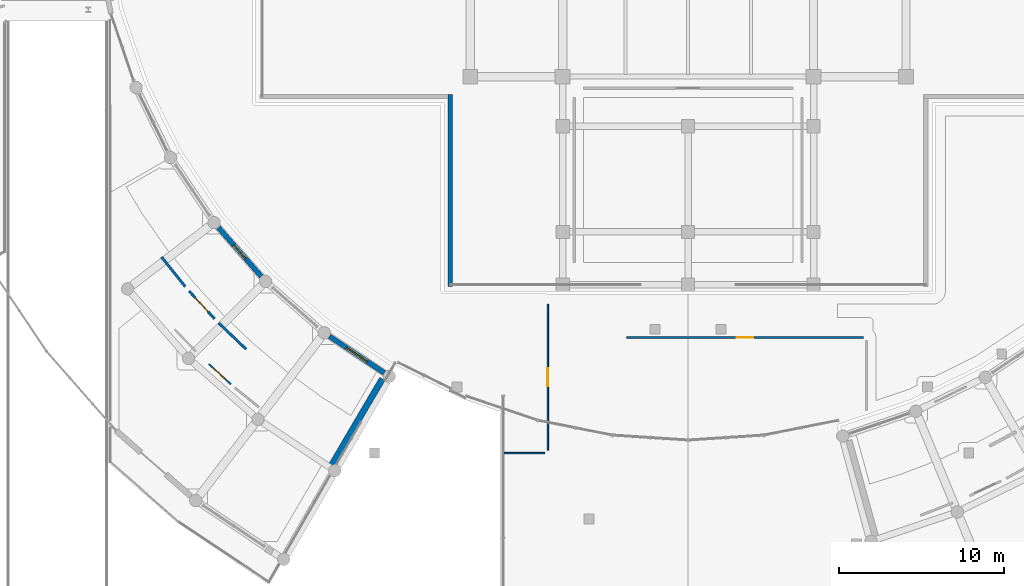
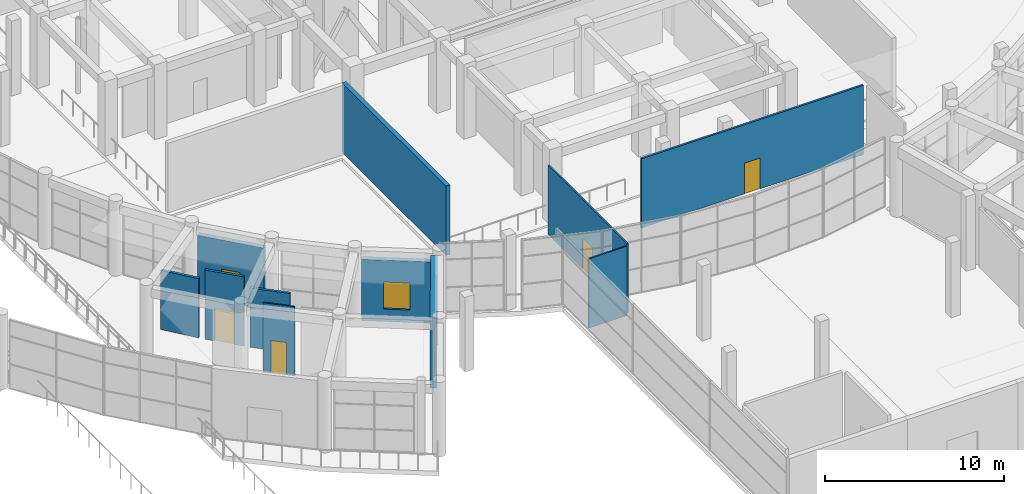
# One storey, part 66 of 99: 11 walls, 4 doors, 2 windows, 6 openings.
"""IFC4 building model written with IfcOpenShell, lengths in metres."""

import ifcopenshell
import ifcopenshell.guid

model = None  # the IFC model being written
_history = None  # IfcOwnerHistory: only IFC2X3 demands one
_inside = {}  # id of a spatial element -> (the spatial element, [elements in it])
_under = {}  # id of a project, library or spatial element -> (it, [spatial elements below it])
_declared = {}  # id of a project -> (the project, [libraries it declares])
_typed = {}  # id of a type object -> (the type object, [elements of that type])
_made_of = {}  # id of a material, layer set ... -> (it, [elements and type objects made of it])


def new_model(schema):
    """Start an empty IFC model of exactly this schema.

    Asked for "IFC4X3", IfcOpenShell would pick the latest addendum, in which some entities
    have other attributes; the version numbers below select the first issue.
    IFC2X3 requires an IfcOwnerHistory on every rooted entity: one is made here for all.
    """
    global model, _history
    if schema == "IFC4X3":
        model = ifcopenshell.file(schema_version=(4, 3, 0, 0))
    else:
        model = ifcopenshell.file(schema=schema)
    _inside.clear()
    _under.clear()
    _declared.clear()
    _typed.clear()
    _made_of.clear()
    _history = None
    if model.schema == "IFC2X3":
        org = make("IfcOrganization", Name="unknown")
        user = make(
            "IfcPersonAndOrganization",
            ThePerson=make("IfcPerson", FamilyName="unknown"),
            TheOrganization=org,
        )
        app = make(
            "IfcApplication",
            ApplicationDeveloper=org,
            Version="unknown",
            ApplicationFullName="unknown",
            ApplicationIdentifier="unknown",
        )
        _history = make(
            "IfcOwnerHistory",
            OwningUser=user,
            OwningApplication=app,
            ChangeAction="ADDED",
            CreationDate=0,
        )
    return model


def make(cls, **values):
    """One entity of the class cls with the attributes given. An attribute that is None is left unset."""
    return model.create_entity(
        cls, **{name: value for name, value in values.items() if value is not None}
    )


def rooted(cls, **values):
    """An entity with a GlobalId (a new one), such as an element, a storey or a relation."""
    return make(cls, GlobalId=ifcopenshell.guid.new(), OwnerHistory=_history, **values)


def si_unit(unit_type, name, prefix=None):
    """IfcSIUnit, for example si_unit("LENGTHUNIT", "METRE", prefix="MILLI")."""
    return make("IfcSIUnit", UnitType=unit_type, Prefix=prefix, Name=name)


def assignment(units):
    """IfcUnitAssignment: the units of a project."""
    return None if units is None else make("IfcUnitAssignment", Units=units)


def point(xyz):
    """IfcCartesianPoint."""
    return None if xyz is None else make("IfcCartesianPoint", Coordinates=xyz)


def direction(xyz):
    """IfcDirection."""
    return None if xyz is None else make("IfcDirection", DirectionRatios=xyz)


def frame(location, z_axis=None, x_axis=None):
    """IfcAxis2Placement3D, a coordinate frame: its origin and axes. An axis left out is left unset."""
    return make(
        "IfcAxis2Placement3D",
        Location=point(location),
        Axis=direction(z_axis),
        RefDirection=direction(x_axis),
    )


def frame_2d(location, x_axis=None):
    """IfcAxis2Placement2D, a coordinate frame in the plane: its origin and x axis."""
    return make(
        "IfcAxis2Placement2D", Location=point(location), RefDirection=direction(x_axis)
    )


def origin():
    """The frame at (0, 0, 0) with its axes left unset."""
    return frame((0.0, 0.0, 0.0))


def place(relative_to, where):
    """IfcLocalPlacement: puts the frame where relative to a parent placement (None: the world)."""
    return make(
        "IfcLocalPlacement", PlacementRelTo=relative_to, RelativePlacement=where
    )


def context(
    kind, dimensions, precision=None, world=None, true_north=None, identifier=None
):
    """IfcGeometricRepresentationContext, for example the 3D "Model" context."""
    return make(
        "IfcGeometricRepresentationContext",
        ContextIdentifier=identifier,
        ContextType=kind,
        CoordinateSpaceDimension=dimensions,
        Precision=precision,
        WorldCoordinateSystem=world,
        TrueNorth=true_north,
    )


def subcontext(parent, identifier, kind, view, scale=None):
    """IfcGeometricRepresentationSubContext, for example "Body" below "Model"."""
    return make(
        "IfcGeometricRepresentationSubContext",
        ContextIdentifier=identifier,
        ContextType=kind,
        ParentContext=parent,
        TargetScale=scale,
        TargetView=view,
    )


def project(units=None, contexts=None):
    """IfcProject with its units and contexts."""
    return rooted(
        "IfcProject",
        Name="project",
        RepresentationContexts=contexts,
        UnitsInContext=assignment(units),
    )


def spatial(cls, under=None, at=None, **own):
    """A site, building, storey or space (cls), placed at a placement, below another one or the project."""
    s = rooted(cls, ObjectPlacement=at, **own)
    if under is not None:
        _under.setdefault(under.id(), (under, []))[1].append(s)
    return s


def profile(cls, at=None, kind="AREA", **sizes):
    """A parametric profile (cls). Its sizes go by their IFC names, for example OverallWidth=200.0."""
    return make(cls, ProfileType=kind, Position=at, **sizes)


def rectangle(**sizes):
    """IfcRectangleProfileDef."""
    return profile("IfcRectangleProfileDef", **sizes)


def extrude(swept, where, along, depth):
    """IfcExtrudedAreaSolid: the profile swept, set in the frame where, extruded along a direction by depth."""
    return make(
        "IfcExtrudedAreaSolid",
        SweptArea=swept,
        Position=where,
        ExtrudedDirection=direction(along),
        Depth=depth,
    )


def shape(context_of_items, identifier, shape_type, items):
    """IfcShapeRepresentation: the items that make up one representation, for example the "Body"."""
    return make(
        "IfcShapeRepresentation",
        ContextOfItems=context_of_items,
        RepresentationIdentifier=identifier,
        RepresentationType=shape_type,
        Items=items,
    )


def material(Name=None, Category=None):
    """IfcMaterial."""
    return make("IfcMaterial", Name=Name, Category=Category)


def layer(
    of_material, thickness, ventilated=None, Name=None, Category=None, Priority=None
):
    """IfcMaterialLayer: one layer of a wall or slab, of a material (None: an air gap)."""
    return make(
        "IfcMaterialLayer",
        Material=of_material,
        LayerThickness=thickness,
        IsVentilated=ventilated,
        Name=Name,
        Category=Category,
        Priority=Priority,
    )


def layer_set(layers, Name=None):
    """IfcMaterialLayerSet."""
    return make("IfcMaterialLayerSet", MaterialLayers=layers, LayerSetName=Name)


def made_of(thing, what):
    """Note that an element or type object is made of a material, layer set ...; save() writes the relation."""
    if what is not None:
        _made_of.setdefault(what.id(), (what, []))[1].append(thing)
    return thing


def type_object(cls, material=None, **own):
    """A type object (cls), such as IfcWallType, which elements share."""
    return made_of(rooted(cls, **own), material)


def element(
    cls,
    number,
    at=None,
    inside=None,
    cuts=None,
    type_object=None,
    material=None,
    context=None,
    identifier="Body",
    shape_type=None,
    held_by="IfcProductDefinitionShape",
    body=None,
    shapes=None,
    **own,
):
    """One element of the class cls, such as IfcWall. Its Tag is "e" and its number.

    at: its placement. inside: the storey or other place that contains it. cuts: it is an
    opening in that element (IfcRelVoidsElement). A single representation is given by context,
    identifier, shape_type and body (its items); several are given by shapes. held_by: the class
    of the entity that holds the representations. save() writes the other relations.
    """
    e = rooted(cls, Tag="e%d" % number, ObjectPlacement=at, **own)
    if body is not None:
        shapes = [shape(context, identifier, shape_type, body)]
    if shapes is not None:
        e.Representation = make(held_by, Representations=shapes)
    if inside is not None:
        _inside.setdefault(inside.id(), (inside, []))[1].append(e)
    if cuts is not None:
        rooted(
            "IfcRelVoidsElement", RelatingBuildingElement=cuts, RelatedOpeningElement=e
        )
    if type_object is not None:
        _typed.setdefault(type_object.id(), (type_object, []))[1].append(e)
    return made_of(e, material)


def fill(opening, filler):
    """IfcRelFillsElement: the door or window that sits in an opening."""
    return rooted(
        "IfcRelFillsElement",
        RelatingOpeningElement=opening,
        RelatedBuildingElement=filler,
    )


def aggregate(whole, parts):
    """IfcRelAggregates: a whole, such as a stair, and the parts it consists of."""
    return rooted("IfcRelAggregates", RelatingObject=whole, RelatedObjects=parts)


def save(model, path):
    """Write the relations noted so far, then the file.

    IfcRelAggregates (storeys below a building ...), IfcRelContainedInSpatialStructure (elements
    in a storey), IfcRelDefinesByType, IfcRelAssociatesMaterial and IfcRelDeclares: one each for
    every whole, place, type object, material and project.
    """
    for whole, parts in _under.values():
        aggregate(whole, parts)
    for where, things in _inside.values():
        rooted(
            "IfcRelContainedInSpatialStructure",
            RelatedElements=things,
            RelatingStructure=where,
        )
    for kind, things in _typed.values():
        rooted("IfcRelDefinesByType", RelatedObjects=things, RelatingType=kind)
    for what, things in _made_of.values():
        rooted("IfcRelAssociatesMaterial", RelatedObjects=things, RelatingMaterial=what)
    for by, libraries in _declared.values():
        rooted("IfcRelDeclares", RelatingContext=by, RelatedDefinitions=libraries)
    model.write(path)


model = new_model("IFC4")

# Units and contexts
model_context = context("Model", 3, precision=1e-05, world=origin(), true_north=direction((0.0, 1.0)))
body_context = subcontext(model_context, "Body", "Model", "MODEL_VIEW")
ifc_project = project(units=[si_unit("LENGTHUNIT", "METRE"), si_unit("AREAUNIT", "SQUARE_METRE"), si_unit("VOLUMEUNIT", "CUBIC_METRE"), si_unit("PLANEANGLEUNIT", "RADIAN"), si_unit("MASSUNIT", "GRAM", prefix="KILO")], contexts=[model_context])

# Site, building, storey
site_placement = place(None, origin())
site = spatial("IfcSite", under=ifc_project, at=site_placement, CompositionType="ELEMENT")
building_placement = place(site_placement, origin())
building = spatial("IfcBuilding", under=site, at=building_placement, Name="Saryqyr Civic Hall", CompositionType="ELEMENT")
storey_placement = place(building_placement, origin())
storey = spatial("IfcBuildingStorey", under=building, at=storey_placement, Name="L00", CompositionType="ELEMENT", Elevation=0.0)

# Wall
ifc_material_1 = material(Name="Precast concrete C40/50", Category="concrete")
ifc_layer_1 = layer(ifc_material_1, 0.27001953125, Name="Precast concrete C40/50")
ifc_layer_set_1 = layer_set([ifc_layer_1], Name="Precast concrete C40/50")
wall_type_1 = type_object("IfcWallType", Name="ENV-WAL-EXT-270", PredefinedType="STANDARD", material=ifc_layer_set_1)
wall_1_placement = place(storey_placement, frame((42.60009765625, 58.080078125, 0.0), z_axis=(0.0, 0.0, 1.0), x_axis=(0.0, 1.0, 0.0)))
element("IfcWall", 1, at=wall_1_placement, inside=storey, type_object=wall_type_1, Name="Exterior wall V1-EW-L00-00", PredefinedType="STANDARD", context=body_context, shape_type="SweptSolid", body=[
    extrude(rectangle(XDim=11.639892578125, YDim=0.27001953125, at=frame_2d((5.81982421875, 0.0))), origin(), (0.0, 0.0, 1.0), 4.75),
])

# Wall, opening, window
ifc_layer_2 = layer(ifc_material_1, 0.2900390625, Name="Precast concrete C40/50")
ifc_layer_set_2 = layer_set([ifc_layer_2], Name="Precast concrete C40/50")
wall_type_2 = type_object("IfcWallType", Name="ENV-WAL-EXT-290", PredefinedType="STANDARD", material=ifc_layer_set_2)
wall_2_placement = place(storey_placement, frame((28.552490234375, 61.65283203125, 0.0), z_axis=(0.0, 0.0, 1.0), x_axis=(0.659330727041, -0.751853039083, 0.0)))
wall_2 = element("IfcWall", 2, at=wall_2_placement, inside=storey, type_object=wall_type_2, Name="Exterior wall V4-EWI-L00-07", PredefinedType="STANDARD", context=body_context, shape_type="SweptSolid", body=[
    extrude(rectangle(XDim=3.91064453125, YDim=0.2900390625, at=frame_2d((1.955322265625, 0.0))), origin(), (0.0, 0.0, 1.0), 4.195068359375),
])
opening_1_placement = place(wall_2_placement, frame((1.405029296875, 0.0, 0.85009765625)))
opening_1 = element("IfcOpeningElement", 3, at=opening_1_placement, cuts=wall_2, Name="Opening W-01", PredefinedType="OPENING", context=body_context, shape_type="SweptSolid", body=[
    extrude(rectangle(XDim=1.10009765625, YDim=1.35009765625, at=frame_2d((0.550048828125, 0.675048828125))), frame((0.0, 0.155029296875, 0.0), z_axis=(0.0, -1.0, 0.0), x_axis=(1.0, 0.0, 0.0)), (0.0, 0.0, 1.0), 0.31005859375),
])
ifc_material_2 = material(Name="Anodised aluminium and triple low-E glass", Category="aluminium")
window_type_1 = type_object("IfcWindowType", Name="ENV-WIN-W01", PartitioningType="SINGLE_PANEL", PredefinedType="WINDOW", material=ifc_material_2)
window_1_placement = place(opening_1_placement, origin())
window_1 = element("IfcWindow", 4, at=window_1_placement, inside=storey, type_object=window_type_1, Name="Courtyard window V4-L00-07", OverallHeight=1.35009765625, OverallWidth=1.10009765625, PartitioningType="SINGLE_PANEL", PredefinedType="WINDOW", context=body_context, shape_type="SweptSolid", body=[
    extrude(rectangle(XDim=1.10009765625, YDim=1.35009765625, at=frame_2d((0.550048828125, 0.675048828125))), frame((0.0, 0.030029296875, 0.0), z_axis=(0.0, -1.0, 0.0), x_axis=(1.0, 0.0, 0.0)), (0.0, 0.0, 1.0), 0.06005859375),
])
fill(opening_1, window_1)

wall_3_placement = place(storey_placement, frame((35.272705078125, 55.073486328125, 0.0), z_axis=(0.0, 0.0, 1.0), x_axis=(0.831475585972, -0.555561292688, 0.0)))
wall_3 = element("IfcWall", 5, at=wall_3_placement, inside=storey, type_object=wall_type_2, Name="Exterior wall V4-EWI-L00-09", PredefinedType="STANDARD", context=body_context, shape_type="SweptSolid", body=[
    extrude(rectangle(XDim=3.98974609375, YDim=0.2900390625, at=frame_2d((1.994873046875, 0.0))), origin(), (0.0, 0.0, 1.0), 4.195068359375),
])
opening_2_placement = place(wall_3_placement, frame((1.2451171875, 0.0, 0.85009765625)))
opening_2 = element("IfcOpeningElement", 6, at=opening_2_placement, cuts=wall_3, Name="Opening W-26", PredefinedType="OPENING", context=body_context, shape_type="SweptSolid", body=[
    extrude(rectangle(XDim=1.5, YDim=1.85009765625, at=frame_2d((0.75, 0.925048828125))), frame((0.0, 0.155029296875, 0.0), z_axis=(0.0, -1.0, 0.0), x_axis=(1.0, 0.0, 0.0)), (0.0, 0.0, 1.0), 0.31005859375),
])
window_type_2 = type_object("IfcWindowType", Name="ENV-WIN-W26", PartitioningType="SINGLE_PANEL", PredefinedType="WINDOW", material=ifc_material_2)
window_2_placement = place(opening_2_placement, origin())
window_2 = element("IfcWindow", 7, at=window_2_placement, inside=storey, type_object=window_type_2, Name="Courtyard window V4-L00-09", OverallHeight=1.85009765625, OverallWidth=1.5, PartitioningType="SINGLE_PANEL", PredefinedType="WINDOW", context=body_context, shape_type="SweptSolid", body=[
    extrude(rectangle(XDim=1.5, YDim=1.85009765625, at=frame_2d((0.75, 0.925048828125))), frame((0.0, 0.030029296875, 0.0), z_axis=(0.0, -1.0, 0.0), x_axis=(1.0, 0.0, 0.0)), (0.0, 0.0, 1.0), 0.06005859375),
])
fill(opening_2, window_2)

# Wall
ifc_material_3 = material(Name="Concrete C40/50", Category="concrete")
ifc_layer_3 = layer(ifc_material_3, 0.3798828125, Name="Concrete C40/50")
ifc_layer_set_3 = layer_set([ifc_layer_3], Name="Concrete C40/50")
wall_type_3 = type_object("IfcWallType", Name="ENV-WAL-PTY-380", PredefinedType="SHEAR", material=ifc_layer_set_3)
wall_4_placement = place(storey_placement, frame((38.47705078125, 52.4912109375, 0.0), z_axis=(0.0, 0.0, 1.0), x_axis=(-0.506800995465, -0.862063078316, 0.0)))
element("IfcWall", 8, at=wall_4_placement, inside=storey, type_object=wall_type_3, Name="Exterior wall V4-JNTW-B-L00", PredefinedType="SHEAR", context=body_context, shape_type="SweptSolid", body=[
    extrude(rectangle(XDim=6.086669921875, YDim=0.3798828125, at=frame_2d((3.04345703125, 0.0))), origin(), (0.0, 0.0, 1.0), 4.800048828125),
])

# Wall, opening, door
ifc_material_4 = material(Name="Lightweight demountable partition", Category="gypsum")
ifc_layer_4 = layer(ifc_material_4, 0.094970703125, Name="Lightweight demountable partition")
ifc_layer_set_4 = layer_set([ifc_layer_4], Name="Lightweight demountable partition")
wall_type_4 = type_object("IfcWallType", Name="INT-WAL-PRT-095", PredefinedType="PARTITIONING", material=ifc_layer_set_4)
wall_5_placement = place(storey_placement, frame((27.958251953125, 53.400634765625, 0.0), z_axis=(0.0, 0.0, 1.0), x_axis=(0.737031619379, -0.675858263274, 0.0)))
wall_5 = element("IfcWall", 9, at=wall_5_placement, inside=storey, type_object=wall_type_4, Name="Interior partition PRT-SP-V4-L00-R03-W1", PredefinedType="PARTITIONING", context=body_context, shape_type="SweptSolid", body=[
    extrude(rectangle(XDim=1.81982421875, YDim=0.094970703125, at=frame_2d((0.909912109375, 0.0))), origin(), (0.0, 0.0, 1.0), 4.72998046875),
])
opening_3_placement = place(wall_5_placement, frame((0.4599609375, 0.0, 0.0)))
opening_3 = element("IfcOpeningElement", 10, at=opening_3_placement, cuts=wall_5, Name="Opening D-09", PredefinedType="OPENING", context=body_context, shape_type="SweptSolid", body=[
    extrude(rectangle(XDim=0.89990234375, YDim=2.219970703125, at=frame_2d((0.449951171875, 1.10986328125))), frame((0.0, 0.057373046875, 0.0), z_axis=(0.0, -1.0, 0.0), x_axis=(1.0, 0.0, 0.0)), (0.0, 0.0, 1.0), 0.114990234375),
])
ifc_material_5 = material(Name="Acoustic solid-core oak veneer", Category="wood")
door_type_1 = type_object("IfcDoorType", Name="INT-DR-D-09", OperationType="NOTDEFINED", PredefinedType="DOOR", material=ifc_material_5)
door_1_placement = place(opening_3_placement, origin())
door_1 = element("IfcDoor", 11, at=door_1_placement, inside=storey, type_object=door_type_1, Name="Interior door Public Toilet Block & Accessible MGN WC L00-W", OperationType="SINGLE_SWING_LEFT", OverallHeight=2.219970703125, OverallWidth=0.89990234375, PredefinedType="DOOR", context=body_context, shape_type="SweptSolid", body=[
    extrude(rectangle(XDim=0.89990234375, YDim=2.219970703125, at=frame_2d((0.449951171875, 1.10986328125))), frame((0.0, 0.02490234375, 0.0), z_axis=(0.0, -1.0, 0.0), x_axis=(1.0, 0.0, 0.0)), (0.0, 0.0, 1.0), 0.050048828125),
])
fill(opening_3, door_1)

wall_6_placement = place(storey_placement, frame((48.5, 57.020751953125, 0.0), z_axis=(0.0, 0.0, 1.0), x_axis=(0.0, -1.0, 0.0)))
wall_6 = element("IfcWall", 12, at=wall_6_placement, inside=storey, type_object=wall_type_4, Name="Interior partition PRT-SP-V2-L00-WHALL-W1", PredefinedType="PARTITIONING", context=body_context, shape_type="SweptSolid", body=[
    extrude(rectangle(XDim=8.8408203125, YDim=0.094970703125, at=frame_2d((4.42041015625, 0.0))), origin(), (0.0, 0.0, 1.0), 4.72998046875),
])
opening_4_placement = place(wall_6_placement, frame((3.8701171875, 0.0, 0.0)))
opening_4 = element("IfcOpeningElement", 13, at=opening_4_placement, cuts=wall_6, Name="Opening D-05", PredefinedType="OPENING", context=body_context, shape_type="SweptSolid", body=[
    extrude(rectangle(XDim=1.10009765625, YDim=2.10009765625, at=frame_2d((0.550048828125, 1.050048828125))), frame((0.0, 0.057373046875, 0.0), z_axis=(0.0, -1.0, 0.0), x_axis=(1.0, 0.0, 0.0)), (0.0, 0.0, 1.0), 0.114990234375),
])
door_type_2 = type_object("IfcDoorType", Name="INT-DR-D-05", OperationType="NOTDEFINED", PredefinedType="DOOR", material=ifc_material_5)
door_2_placement = place(opening_4_placement, origin())
door_2 = element("IfcDoor", 14, at=door_2_placement, inside=storey, type_object=door_type_2, Name="Interior door West Civic Exhibition Gallery", OperationType="SINGLE_SWING_LEFT", OverallHeight=2.10009765625, OverallWidth=1.10009765625, PredefinedType="DOOR", context=body_context, shape_type="SweptSolid", body=[
    extrude(rectangle(XDim=1.10009765625, YDim=2.10009765625, at=frame_2d((0.550048828125, 1.050048828125))), frame((0.0, 0.02490234375, 0.0), z_axis=(0.0, -1.0, 0.0), x_axis=(1.0, 0.0, 0.0)), (0.0, 0.0, 1.0), 0.050048828125),
])
fill(opening_4, door_2)

# Wall
wall_7_placement = place(storey_placement, frame((48.320068359375, 48.0, 0.0), z_axis=(0.0, 0.0, 1.0), x_axis=(-1.0, 0.0, 0.0)))
element("IfcWall", 15, at=wall_7_placement, inside=storey, type_object=wall_type_4, Name="Interior partition PRT-SP-V2-L00-WHALL-W2", PredefinedType="PARTITIONING", context=body_context, shape_type="SweptSolid", body=[
    extrude(rectangle(XDim=2.4599609375, YDim=0.094970703125, at=frame_2d((1.22998046875, 0.0))), origin(), (0.0, 0.0, 1.0), 4.72998046875),
])

# Wall, opening, door
ifc_material_6 = material(Name="Metal-stud gypsum board partition", Category="gypsum")
ifc_layer_5 = layer(ifc_material_6, 0.125, Name="Metal-stud gypsum board partition")
ifc_layer_set_5 = layer_set([ifc_layer_5], Name="Metal-stud gypsum board partition")
wall_type_5 = type_object("IfcWallType", Name="INT-WAL-PRT-125", PredefinedType="PARTITIONING", material=ifc_layer_set_5)
wall_8_placement = place(storey_placement, frame((53.280029296875, 55.0, 0.0), z_axis=(0.0, 0.0, 1.0), x_axis=(1.0, 0.0, 0.0)))
wall_8 = element("IfcWall", 16, at=wall_8_placement, inside=storey, type_object=wall_type_5, Name="Interior partition PRT-SP-V2-L00-SVEST-W1", PredefinedType="PARTITIONING", context=body_context, shape_type="SweptSolid", body=[
    extrude(rectangle(XDim=14.340087890625, YDim=0.125, at=frame_2d((7.169921875, 0.0))), origin(), (0.0, 0.0, 1.0), 4.72998046875),
])
opening_5_placement = place(wall_8_placement, frame((6.669921875, 0.0, 0.0)))
opening_5 = element("IfcOpeningElement", 17, at=opening_5_placement, cuts=wall_8, Name="Opening D-03", PredefinedType="OPENING", context=body_context, shape_type="SweptSolid", body=[
    extrude(rectangle(XDim=1.0, YDim=2.10009765625, at=frame_2d((0.5, 1.050048828125))), frame((0.0, 0.072509765625, 0.0), z_axis=(0.0, -1.0, 0.0), x_axis=(1.0, 0.0, 0.0)), (0.0, 0.0, 1.0), 0.14501953125),
])
door_type_3 = type_object("IfcDoorType", Name="INT-DR-D-03", OperationType="NOTDEFINED", PredefinedType="DOOR", material=ifc_material_5)
door_3_placement = place(opening_5_placement, origin())
door_3 = element("IfcDoor", 18, at=door_3_placement, inside=storey, type_object=door_type_3, Name="Interior door Public Hall and South Ceremonial Foyer", OperationType="SINGLE_SWING_LEFT", OverallHeight=2.10009765625, OverallWidth=1.0, PredefinedType="DOOR", context=body_context, shape_type="SweptSolid", body=[
    extrude(rectangle(XDim=1.0, YDim=2.10009765625, at=frame_2d((0.5, 1.050048828125))), frame((0.0, 0.02490234375, 0.0), z_axis=(0.0, -1.0, 0.0), x_axis=(1.0, 0.0, 0.0)), (0.0, 0.0, 1.0), 0.050048828125),
])
fill(opening_5, door_3)

ifc_material_7 = material(Name="Acoustic double-stud gypsum board", Category="gypsum")
ifc_layer_6 = layer(ifc_material_7, 0.155029296875, Name="Acoustic double-stud gypsum board")
ifc_layer_set_6 = layer_set([ifc_layer_6], Name="Acoustic double-stud gypsum board")
wall_type_6 = type_object("IfcWallType", Name="INT-WAL-PRT-155", PredefinedType="PARTITIONING", material=ifc_layer_set_6)
wall_9_placement = place(storey_placement, frame((28.314208984375, 56.131103515625, 0.0), z_axis=(0.0, 0.0, 1.0), x_axis=(-0.676029102078, 0.736874923677, 0.0)))
wall_9 = element("IfcWall", 19, at=wall_9_placement, inside=storey, type_object=wall_type_6, Name="Interior partition PRT-SP-V4-L00-R05-W1", PredefinedType="PARTITIONING", context=body_context, shape_type="SweptSolid", body=[
    extrude(rectangle(XDim=2.287109375, YDim=0.155029296875, at=frame_2d((1.1435546875, 0.0))), origin(), (0.0, 0.0, 1.0), 4.72998046875),
])
opening_6_placement = place(wall_9_placement, frame((0.569091796875, 0.0, 0.0)))
opening_6 = element("IfcOpeningElement", 20, at=opening_6_placement, cuts=wall_9, Name="Opening D-11", PredefinedType="OPENING", context=body_context, shape_type="SweptSolid", body=[
    extrude(rectangle(XDim=1.14990234375, YDim=2.219970703125, at=frame_2d((0.574951171875, 1.10986328125))), frame((0.0, 0.08740234375, 0.0), z_axis=(0.0, -1.0, 0.0), x_axis=(1.0, 0.0, 0.0)), (0.0, 0.0, 1.0), 0.175048828125),
])
door_type_4 = type_object("IfcDoorType", Name="INT-DR-D-11", OperationType="NOTDEFINED", PredefinedType="DOOR", material=ifc_material_5)
door_4_placement = place(opening_6_placement, origin())
door_4 = element("IfcDoor", 21, at=door_4_placement, inside=storey, type_object=door_type_4, Name="Interior door Document Intake & Biometric Booths", OperationType="SINGLE_SWING_LEFT", OverallHeight=2.219970703125, OverallWidth=1.14990234375, PredefinedType="DOOR", context=body_context, shape_type="SweptSolid", body=[
    extrude(rectangle(XDim=1.14990234375, YDim=2.219970703125, at=frame_2d((0.574951171875, 1.10986328125))), frame((0.0, 0.02490234375, 0.0), z_axis=(0.0, -1.0, 0.0), x_axis=(1.0, 0.0, 0.0)), (0.0, 0.0, 1.0), 0.050048828125),
])
fill(opening_6, door_4)

# Walls
wall_10_placement = place(storey_placement, frame((30.22021484375, 54.294677734375, 0.0), z_axis=(0.0, 0.0, 1.0), x_axis=(-0.723251321931, 0.690584915361, 0.0)))
element("IfcWall", 22, at=wall_10_placement, inside=storey, type_object=wall_type_6, Name="Interior partition PRT-SP-V4-L00-R05-W2", PredefinedType="PARTITIONING", context=body_context, shape_type="SweptSolid", body=[
    extrude(rectangle(XDim=2.286865234375, YDim=0.155029296875, at=frame_2d((1.1435546875, 0.0))), origin(), (0.0, 0.0, 1.0), 4.044921875),
])
wall_11_placement = place(storey_placement, frame((26.53369140625, 58.08935546875, 0.0), z_axis=(0.0, 0.0, 1.0), x_axis=(-0.625826894519, 0.779961985033, 0.0)))
element("IfcWall", 23, at=wall_11_placement, inside=storey, type_object=wall_type_6, Name="Interior partition PRT-SP-V4-L00-R05-W3", PredefinedType="PARTITIONING", context=body_context, shape_type="SweptSolid", body=[
    extrude(rectangle(XDim=2.287109375, YDim=0.155029296875, at=frame_2d((1.1435546875, 0.0))), origin(), (0.0, 0.0, 1.0), 4.044921875),
])

save(model, "model.ifc")
